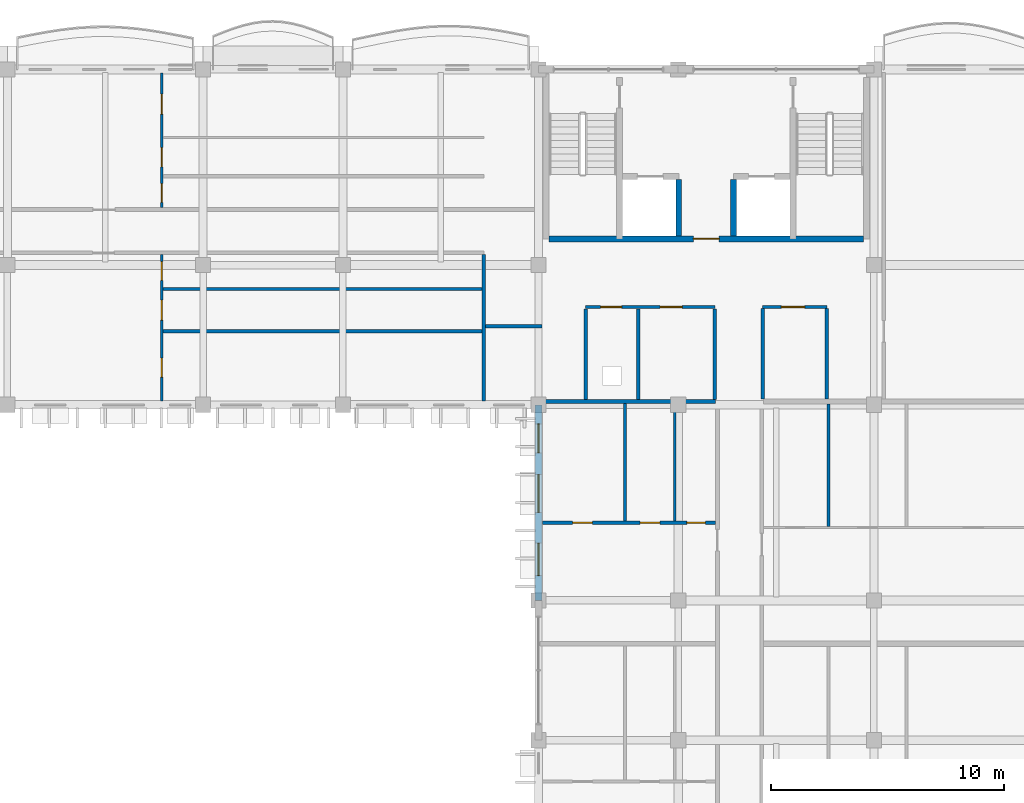
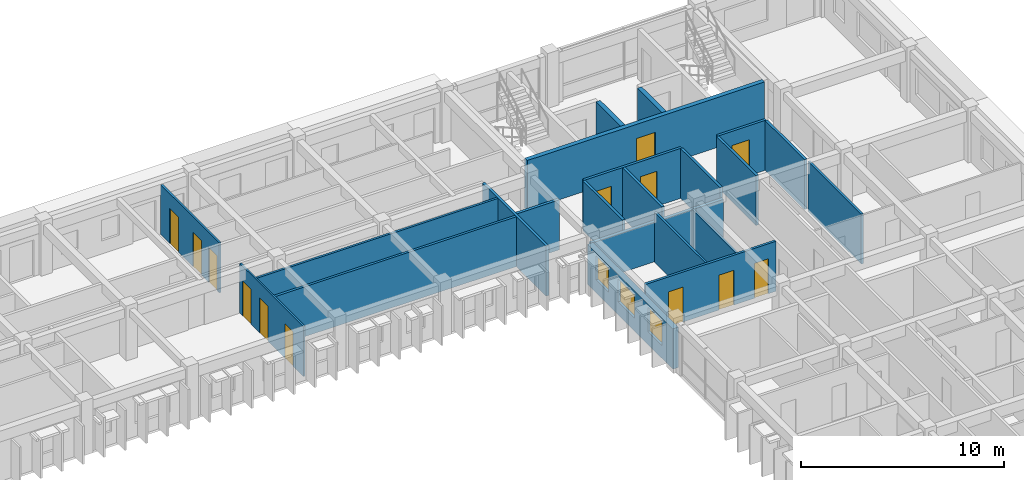
# One storey, part 45 of 76: 22 walls, 13 doors, 3 windows, 16 openings.
"""IFC4 building model written with IfcOpenShell, lengths in metres."""

from ifc_helpers import new_model, si_unit, direction, frame, frame_2d, origin, place, context, subcontext, project, spatial, rectangle, extrude, material, layer, layer_set, type_object, element, fill, save


model = new_model("IFC4")

# Units and contexts
model_context = context("Model", 3, precision=1e-05, world=origin(), true_north=direction((0.0, 1.0)))
body_context = subcontext(model_context, "Body", "Model", "MODEL_VIEW")
ifc_project = project(units=[si_unit("LENGTHUNIT", "METRE"), si_unit("AREAUNIT", "SQUARE_METRE"), si_unit("VOLUMEUNIT", "CUBIC_METRE"), si_unit("PLANEANGLEUNIT", "RADIAN"), si_unit("MASSUNIT", "GRAM", prefix="KILO"), si_unit("THERMODYNAMICTEMPERATUREUNIT", "KELVIN")], contexts=[model_context])

# Site, building, storey
site_placement = place(None, origin())
site = spatial("IfcSite", under=ifc_project, at=site_placement, CompositionType="ELEMENT")
building_placement = place(site_placement, origin())
building = spatial("IfcBuilding", under=site, at=building_placement, Name="Thalorik Housing Commons", CompositionType="ELEMENT")
storey_placement = place(building_placement, frame((0.0, 0.0, 18.0)))
storey = spatial("IfcBuildingStorey", under=building, at=storey_placement, Name="L05", CompositionType="ELEMENT", Elevation=18.0)

# Walls
ifc_material_1 = material(Name="Concrete C40/50", Category="concrete")
ifc_layer_1 = layer(ifc_material_1, 0.25, Name="Concrete C40/50", Category="concrete")
ifc_layer_set_1 = layer_set([ifc_layer_1], Name="Concrete C40/50")
wall_type_1 = type_object("IfcWallType", Name="ARC-WAL-CORE-250", PredefinedType="SHEAR", material=ifc_layer_set_1)
for number, where, z_axis, x_axis, name in (
    (1, (158.425048828125, 118.875, 0.0), (0.0, 0.0, 1.0), (0.0, -1.0, 0.0), "L05 Lift 1 Cheek Wall"),
    (2, (160.77490234375, 118.875, 0.0), (0.0, 0.0, 1.0), (0.0, -1.0, 0.0), "L05 Lift 2 Cheek Wall"),
):
    element("IfcWall", number, at=place(storey_placement, frame(where, z_axis=z_axis, x_axis=x_axis)), inside=storey, type_object=wall_type_1, Name=name, PredefinedType="SHEAR", context=body_context, shape_type="SweptSolid", body=[
        extrude(rectangle(XDim=2.425048828125, YDim=0.25, at=frame_2d((1.21240234375, 0.0))), origin(), (0.0, 0.0, 1.0), 3.0),
    ])

# Wall, opening, door
wall_1_placement = place(storey_placement, frame((152.85009765625, 116.324951171875, 0.0), z_axis=(0.0, 0.0, 1.0), x_axis=(1.0, 0.0, 0.0)))
wall_1 = element("IfcWall", 3, at=wall_1_placement, inside=storey, type_object=wall_type_1, Name="L05 Core B Spine Shear Wall", PredefinedType="SHEAR", context=body_context, shape_type="SweptSolid", body=[
    extrude(rectangle(XDim=13.5, YDim=0.25, at=frame_2d((6.75, 0.0))), origin(), (0.0, 0.0, 1.0), 3.0),
])
opening_1_placement = place(wall_1_placement, frame((6.199951171875, 0.0, 0.0)))
opening_1 = element("IfcOpeningElement", 4, at=opening_1_placement, cuts=wall_1, Name="Opening ID-0189", PredefinedType="OPENING", context=body_context, shape_type="SweptSolid", body=[
    extrude(rectangle(XDim=1.10009765625, YDim=2.14990234375, at=frame_2d((0.550048828125, 1.074951171875))), frame((0.0, 0.135009765625, 0.0), z_axis=(0.0, -1.0, 0.0), x_axis=(1.0, 0.0, 0.0)), (0.0, 0.0, 1.0), 0.27001953125),
])
ifc_material_2 = material(Name="Steel S355", Category="steel")
door_type_1 = type_object("IfcDoorType", Name="ARC-DR-FD60-1100", OperationType="NOTDEFINED", PredefinedType="DOOR", material=ifc_material_2)
door_1_placement = place(opening_1_placement, origin())
door_1 = element("IfcDoor", 5, at=door_1_placement, inside=storey, type_object=door_type_1, Name="L05 Core B Lobby Fire Door", OperationType="SINGLE_SWING_RIGHT", OverallHeight=2.14990234375, OverallWidth=1.10009765625, PredefinedType="DOOR", context=body_context, shape_type="SweptSolid", body=[
    extrude(rectangle(XDim=1.10009765625, YDim=2.14990234375, at=frame_2d((0.550048828125, 1.074951171875))), frame((0.0, 0.02490234375, 0.0), z_axis=(0.0, -1.0, 0.0), x_axis=(1.0, 0.0, 0.0)), (0.0, 0.0, 1.0), 0.050048828125),
])
fill(opening_1, door_1)

# Walls
ifc_material_3 = material(Name="Masonry fire-rated corridor wall", Category="masonry")
ifc_layer_2 = layer(ifc_material_3, 0.14990234375, Name="Masonry fire-rated corridor wall", Category="masonry")
ifc_layer_set_2 = layer_set([ifc_layer_2], Name="Masonry fire-rated corridor wall")
wall_type_2 = type_object("IfcWallType", Name="ARC-WAL-CORR-150", PredefinedType="PARTITIONING", material=ifc_layer_set_2)
wall_2_placement = place(storey_placement, frame((150.050048828125, 109.362060546875, 0.0), z_axis=(0.0, 0.0, 1.0), x_axis=(0.0, 1.0, 0.0)))
element("IfcWall", 6, at=wall_2_placement, inside=storey, type_object=wall_type_2, Name="L05 Block B Vestibule Cheek Wall", PredefinedType="PARTITIONING", context=body_context, shape_type="SweptSolid", body=[
    extrude(rectangle(XDim=6.281005859375, YDim=0.14990234375, at=frame_2d((3.140625, 0.0))), origin(), (0.0, 0.0, 1.0), 3.0),
])
ifc_layer_3 = layer(ifc_material_3, 0.1650390625, Name="Masonry fire-rated corridor wall", Category="masonry")
ifc_layer_set_3 = layer_set([ifc_layer_3], Name="Masonry fire-rated corridor wall")
wall_type_3 = type_object("IfcWallType", Name="ARC-WAL-CORR-165", PredefinedType="PARTITIONING", material=ifc_layer_set_3)
wall_3_placement = place(storey_placement, frame((150.126953125, 112.570068359375, 0.0), z_axis=(0.0, 0.0, 1.0), x_axis=(1.0, 0.0, 0.0)))
element("IfcWall", 7, at=wall_3_placement, inside=storey, type_object=wall_type_3, Name="L05 Block B Vestibule South Wall", PredefinedType="PARTITIONING", context=body_context, shape_type="SweptSolid", body=[
    extrude(rectangle(XDim=2.4130859375, YDim=0.1650390625, at=frame_2d((1.20654296875, 0.0))), origin(), (0.0, 0.0, 1.0), 3.0),
])

# Wall, openings, windows
ifc_material_4 = material(Name="White precast concrete C40/50", Category="concrete")
ifc_layer_4 = layer(ifc_material_4, 0.320068359375, Name="White precast concrete C40/50", Category="concrete")
ifc_layer_set_4 = layer_set([ifc_layer_4], Name="White precast concrete C40/50")
wall_type_4 = type_object("IfcWallType", Name="ARC-WAL-EXT-320", PredefinedType="STANDARD", material=ifc_layer_set_4)
wall_4_placement = place(storey_placement, frame((152.39990234375, 109.199951171875, 0.0), z_axis=(0.0, 0.0, 1.0), x_axis=(0.0, -1.0, 0.0)))
wall_4 = element("IfcWall", 8, at=wall_4_placement, inside=storey, type_object=wall_type_4, Name="L05 Exterior Wall WAL-EXT-L05-B-0586", PredefinedType="STANDARD", context=body_context, shape_type="SweptSolid", body=[
    extrude(rectangle(XDim=8.39990234375, YDim=0.320068359375, at=frame_2d((4.199951171875, 0.0))), origin(), (0.0, 0.0, 1.0), 2.425048828125),
])
opening_2_placement = place(wall_4_placement, frame((0.8173828125, 0.0, 0.780029296875)))
opening_2 = element("IfcOpeningElement", 9, at=opening_2_placement, cuts=wall_4, Name="Opening W-47", PredefinedType="OPENING", context=body_context, shape_type="SweptSolid", body=[
    extrude(rectangle(XDim=1.25, YDim=1.449951171875, at=frame_2d((0.625, 0.72509765625))), frame((0.0, 0.169921875, 0.0), z_axis=(0.0, -1.0, 0.0), x_axis=(1.0, 0.0, 0.0)), (0.0, 0.0, 1.0), 0.340087890625),
])
opening_3_placement = place(wall_4_placement, frame((2.99755859375, 0.0, 0.780029296875)))
opening_3 = element("IfcOpeningElement", 10, at=opening_3_placement, cuts=wall_4, Name="Opening W-54", PredefinedType="OPENING", context=body_context, shape_type="SweptSolid", body=[
    extrude(rectangle(XDim=1.6201171875, YDim=1.3798828125, at=frame_2d((0.81005859375, 0.68994140625))), frame((0.0, 0.169921875, 0.0), z_axis=(0.0, -1.0, 0.0), x_axis=(1.0, 0.0, 0.0)), (0.0, 0.0, 1.0), 0.340087890625),
])
opening_4_placement = place(wall_4_placement, frame((5.93505859375, 0.0, 0.780029296875)))
opening_4 = element("IfcOpeningElement", 11, at=opening_4_placement, cuts=wall_4, Name="Opening W-08", PredefinedType="OPENING", context=body_context, shape_type="SweptSolid", body=[
    extrude(rectangle(XDim=1.39990234375, YDim=1.449951171875, at=frame_2d((0.699951171875, 0.72509765625))), frame((0.0, 0.169921875, 0.0), z_axis=(0.0, -1.0, 0.0), x_axis=(1.0, 0.0, 0.0)), (0.0, 0.0, 1.0), 0.340087890625),
])
ifc_material_5 = material(Name="Anodised aluminium and solar-control low-E glass", Category="aluminium")
window_type_1 = type_object("IfcWindowType", Name="ARC-WIN-08", PartitioningType="SINGLE_PANEL", PredefinedType="WINDOW", material=ifc_material_5)
window_1_placement = place(opening_4_placement, origin())
window_1 = element("IfcWindow", 12, at=window_1_placement, inside=storey, type_object=window_type_1, Name="L05 Facade Window 1066", OverallHeight=1.449951171875, OverallWidth=1.39990234375, PartitioningType="SINGLE_PANEL", PredefinedType="WINDOW", context=body_context, shape_type="SweptSolid", body=[
    extrude(rectangle(XDim=1.39990234375, YDim=1.449951171875, at=frame_2d((0.699951171875, 0.72509765625))), frame((0.0, 0.030029296875, 0.0), z_axis=(0.0, -1.0, 0.0), x_axis=(1.0, 0.0, 0.0)), (0.0, 0.0, 1.0), 0.06005859375),
])
fill(opening_4, window_1)
window_type_2 = type_object("IfcWindowType", Name="ARC-WIN-47", PartitioningType="SINGLE_PANEL", PredefinedType="WINDOW", material=ifc_material_5)
window_2_placement = place(opening_2_placement, origin())
window_2 = element("IfcWindow", 13, at=window_2_placement, inside=storey, type_object=window_type_2, Name="L05 Facade Window 1064", OverallHeight=1.449951171875, OverallWidth=1.25, PartitioningType="SINGLE_PANEL", PredefinedType="WINDOW", context=body_context, shape_type="SweptSolid", body=[
    extrude(rectangle(XDim=1.25, YDim=1.449951171875, at=frame_2d((0.625, 0.72509765625))), frame((0.0, 0.030029296875, 0.0), z_axis=(0.0, -1.0, 0.0), x_axis=(1.0, 0.0, 0.0)), (0.0, 0.0, 1.0), 0.06005859375),
])
fill(opening_2, window_2)
window_type_3 = type_object("IfcWindowType", Name="ARC-WIN-54", PartitioningType="DOUBLE_PANEL_VERTICAL", PredefinedType="WINDOW", material=ifc_material_5)
window_3_placement = place(opening_3_placement, origin())
window_3 = element("IfcWindow", 14, at=window_3_placement, inside=storey, type_object=window_type_3, Name="L05 Facade Window 1065", OverallHeight=1.3798828125, OverallWidth=1.6201171875, PartitioningType="DOUBLE_PANEL_VERTICAL", PredefinedType="WINDOW", context=body_context, shape_type="SweptSolid", body=[
    extrude(rectangle(XDim=1.6201171875, YDim=1.3798828125, at=frame_2d((0.81005859375, 0.68994140625))), frame((0.0, 0.030029296875, 0.0), z_axis=(0.0, -1.0, 0.0), x_axis=(1.0, 0.0, 0.0)), (0.0, 0.0, 1.0), 0.06005859375),
])
fill(opening_3, window_3)

# Wall, openings, doors
ifc_material_6 = material(Name="Gypsum light stud partition", Category="masonry")
ifc_layer_5 = layer(ifc_material_6, 0.10009765625, Name="Gypsum light stud partition", Category="masonry")
ifc_layer_set_5 = layer_set([ifc_layer_5], Name="Gypsum light stud partition")
wall_type_5 = type_object("IfcWallType", Name="ARC-WAL-PART-100", PredefinedType="PARTITIONING", material=ifc_layer_set_5)
wall_5_placement = place(storey_placement, frame((136.22509765625, 109.362060546875, 0.0), z_axis=(0.0, 0.0, 1.0), x_axis=(0.0, 1.0, 0.0)))
wall_5 = element("IfcWall", 15, at=wall_5_placement, inside=storey, type_object=wall_type_5, Name="L05 Unit 3 Spine Partition", PredefinedType="PARTITIONING", context=body_context, shape_type="SweptSolid", body=[
    extrude(rectangle(XDim=6.281005859375, YDim=0.10009765625, at=frame_2d((3.140625, 0.0))), origin(), (0.0, 0.0, 1.0), 3.0),
])
opening_5_placement = place(wall_5_placement, frame((1.0234375, 0.0, 0.0)))
opening_5 = element("IfcOpeningElement", 16, at=opening_5_placement, cuts=wall_5, Name="Opening ID-1184", PredefinedType="OPENING", context=body_context, shape_type="SweptSolid", body=[
    extrude(rectangle(XDim=0.820068359375, YDim=2.080078125, at=frame_2d((0.41015625, 1.0400390625))), frame((0.0, 0.06005859375, 0.0), z_axis=(0.0, -1.0, 0.0), x_axis=(1.0, 0.0, 0.0)), (0.0, 0.0, 1.0), 0.1201171875),
])
opening_6_placement = place(wall_5_placement, frame((3.478271484375, 0.0, 0.0)))
opening_6 = element("IfcOpeningElement", 17, at=opening_6_placement, cuts=wall_5, Name="Opening ID-1185", PredefinedType="OPENING", context=body_context, shape_type="SweptSolid", body=[
    extrude(rectangle(XDim=0.85009765625, YDim=2.10009765625, at=frame_2d((0.425048828125, 1.050048828125))), frame((0.0, 0.06005859375, 0.0), z_axis=(0.0, -1.0, 0.0), x_axis=(1.0, 0.0, 0.0)), (0.0, 0.0, 1.0), 0.1201171875),
])
opening_7_placement = place(wall_5_placement, frame((5.182861328125, 0.0, 0.0)))
opening_7 = element("IfcOpeningElement", 18, at=opening_7_placement, cuts=wall_5, Name="Opening ID-1186", PredefinedType="OPENING", context=body_context, shape_type="SweptSolid", body=[
    extrude(rectangle(XDim=0.800048828125, YDim=2.10009765625, at=frame_2d((0.39990234375, 1.050048828125))), frame((0.0, 0.06005859375, 0.0), z_axis=(0.0, -1.0, 0.0), x_axis=(1.0, 0.0, 0.0)), (0.0, 0.0, 1.0), 0.1201171875),
])
ifc_material_7 = material(Name="Moisture-resistant timber", Category="wood")
door_type_2 = type_object("IfcDoorType", Name="ARC-DR-INT-800", OperationType="NOTDEFINED", PredefinedType="DOOR", material=ifc_material_7)
door_2_placement = place(opening_7_placement, origin())
door_2 = element("IfcDoor", 19, at=door_2_placement, inside=storey, type_object=door_type_2, Name="L05 Flat Bathroom Door", OperationType="SINGLE_SWING_LEFT", OverallHeight=2.10009765625, OverallWidth=0.800048828125, PredefinedType="DOOR", context=body_context, shape_type="SweptSolid", body=[
    extrude(rectangle(XDim=0.800048828125, YDim=2.10009765625, at=frame_2d((0.39990234375, 1.050048828125))), frame((0.0, 0.02490234375, 0.0), z_axis=(0.0, -1.0, 0.0), x_axis=(1.0, 0.0, 0.0)), (0.0, 0.0, 1.0), 0.050048828125),
])
fill(opening_7, door_2)
ifc_material_8 = material(Name="Engineered oak timber", Category="wood")
door_type_3 = type_object("IfcDoorType", Name="ARC-DR-INT-820", OperationType="NOTDEFINED", PredefinedType="DOOR", material=ifc_material_8)
door_3_placement = place(opening_5_placement, origin())
door_3 = element("IfcDoor", 20, at=door_3_placement, inside=storey, type_object=door_type_3, Name="L05 Master Bedroom Door", OperationType="SINGLE_SWING_LEFT", OverallHeight=2.080078125, OverallWidth=0.820068359375, PredefinedType="DOOR", context=body_context, shape_type="SweptSolid", body=[
    extrude(rectangle(XDim=0.820068359375, YDim=2.080078125, at=frame_2d((0.41015625, 1.0400390625))), frame((0.0, 0.02490234375, 0.0), z_axis=(0.0, -1.0, 0.0), x_axis=(1.0, 0.0, 0.0)), (0.0, 0.0, 1.0), 0.050048828125),
])
fill(opening_5, door_3)
door_type_4 = type_object("IfcDoorType", Name="ARC-DR-INT-850", OperationType="NOTDEFINED", PredefinedType="DOOR", material=ifc_material_8)
door_4_placement = place(opening_6_placement, origin())
door_4 = element("IfcDoor", 21, at=door_4_placement, inside=storey, type_object=door_type_4, Name="L05 Galley Kitchen Door", OperationType="SINGLE_SWING_RIGHT", OverallHeight=2.10009765625, OverallWidth=0.85009765625, PredefinedType="DOOR", context=body_context, shape_type="SweptSolid", body=[
    extrude(rectangle(XDim=0.85009765625, YDim=2.10009765625, at=frame_2d((0.425048828125, 1.050048828125))), frame((0.0, 0.02490234375, 0.0), z_axis=(0.0, -1.0, 0.0), x_axis=(1.0, 0.0, 0.0)), (0.0, 0.0, 1.0), 0.050048828125),
])
fill(opening_6, door_4)

ifc_material_9 = material(Name="Gypsum moisture-resistant partition", Category="masonry")
ifc_layer_6 = layer(ifc_material_9, 0.114990234375, Name="Gypsum moisture-resistant partition", Category="masonry")
ifc_layer_set_6 = layer_set([ifc_layer_6], Name="Gypsum moisture-resistant partition")
wall_type_6 = type_object("IfcWallType", Name="ARC-WAL-PART-115", PredefinedType="PARTITIONING", material=ifc_layer_set_6)
wall_6_placement = place(storey_placement, frame((136.23193359375, 117.66455078125, 0.0), z_axis=(0.0, 0.0, 1.0), x_axis=(0.0, 1.0, 0.0)))
wall_6 = element("IfcWall", 22, at=wall_6_placement, inside=storey, type_object=wall_type_6, Name="L05 Unit 3B Spine Partition", PredefinedType="PARTITIONING", context=body_context, shape_type="SweptSolid", body=[
    extrude(rectangle(XDim=5.7734375, YDim=0.114990234375, at=frame_2d((2.88671875, 0.0))), origin(), (0.0, 0.0, 1.0), 3.0),
])
opening_8_placement = place(wall_6_placement, frame((0.230712890625, 0.0, 0.0)))
opening_8 = element("IfcOpeningElement", 23, at=opening_8_placement, cuts=wall_6, Name="Opening ID-1187", PredefinedType="OPENING", context=body_context, shape_type="SweptSolid", body=[
    extrude(rectangle(XDim=0.800048828125, YDim=2.10009765625, at=frame_2d((0.39990234375, 1.050048828125))), frame((0.0, 0.0673828125, 0.0), z_axis=(0.0, -1.0, 0.0), x_axis=(1.0, 0.0, 0.0)), (0.0, 0.0, 1.0), 0.135009765625),
])
opening_9_placement = place(wall_6_placement, frame((1.75537109375, 0.0, 0.0)))
opening_9 = element("IfcOpeningElement", 24, at=opening_9_placement, cuts=wall_6, Name="Opening ID-1188", PredefinedType="OPENING", context=body_context, shape_type="SweptSolid", body=[
    extrude(rectangle(XDim=0.820068359375, YDim=2.080078125, at=frame_2d((0.41015625, 1.0400390625))), frame((0.0, 0.0673828125, 0.0), z_axis=(0.0, -1.0, 0.0), x_axis=(1.0, 0.0, 0.0)), (0.0, 0.0, 1.0), 0.135009765625),
])
opening_10_placement = place(wall_6_placement, frame((4.02001953125, 0.0, 0.0)))
opening_10 = element("IfcOpeningElement", 25, at=opening_10_placement, cuts=wall_6, Name="Opening ID-1189", PredefinedType="OPENING", context=body_context, shape_type="SweptSolid", body=[
    extrude(rectangle(XDim=0.85009765625, YDim=2.10009765625, at=frame_2d((0.425048828125, 1.050048828125))), frame((0.0, 0.0673828125, 0.0), z_axis=(0.0, -1.0, 0.0), x_axis=(1.0, 0.0, 0.0)), (0.0, 0.0, 1.0), 0.135009765625),
])
door_5_placement = place(opening_8_placement, origin())
door_5 = element("IfcDoor", 26, at=door_5_placement, inside=storey, type_object=door_type_2, Name="L05 Accessible Bathroom Door", OperationType="SINGLE_SWING_RIGHT", OverallHeight=2.10009765625, OverallWidth=0.800048828125, PredefinedType="DOOR", context=body_context, shape_type="SweptSolid", body=[
    extrude(rectangle(XDim=0.800048828125, YDim=2.10009765625, at=frame_2d((0.39990234375, 1.050048828125))), frame((0.0, 0.02490234375, 0.0), z_axis=(0.0, -1.0, 0.0), x_axis=(1.0, 0.0, 0.0)), (0.0, 0.0, 1.0), 0.050048828125),
])
fill(opening_8, door_5)
door_6_placement = place(opening_9_placement, origin())
door_6 = element("IfcDoor", 27, at=door_6_placement, inside=storey, type_object=door_type_3, Name="L05 Eat-In Kitchen Door", OperationType="SINGLE_SWING_LEFT", OverallHeight=2.080078125, OverallWidth=0.820068359375, PredefinedType="DOOR", context=body_context, shape_type="SweptSolid", body=[
    extrude(rectangle(XDim=0.820068359375, YDim=2.080078125, at=frame_2d((0.41015625, 1.0400390625))), frame((0.0, 0.02490234375, 0.0), z_axis=(0.0, -1.0, 0.0), x_axis=(1.0, 0.0, 0.0)), (0.0, 0.0, 1.0), 0.050048828125),
])
fill(opening_9, door_6)
door_7_placement = place(opening_10_placement, origin())
door_7 = element("IfcDoor", 28, at=door_7_placement, inside=storey, type_object=door_type_4, Name="L05 Double Bedroom Door", OperationType="SINGLE_SWING_RIGHT", OverallHeight=2.10009765625, OverallWidth=0.85009765625, PredefinedType="DOOR", context=body_context, shape_type="SweptSolid", body=[
    extrude(rectangle(XDim=0.85009765625, YDim=2.10009765625, at=frame_2d((0.425048828125, 1.050048828125))), frame((0.0, 0.02490234375, 0.0), z_axis=(0.0, -1.0, 0.0), x_axis=(1.0, 0.0, 0.0)), (0.0, 0.0, 1.0), 0.050048828125),
])
fill(opening_10, door_7)

# Walls
wall_7_placement = place(storey_placement, frame((158.251220703125, 104.2119140625, 0.0), z_axis=(0.0, 0.0, 1.0), x_axis=(0.0, 1.0, 0.0)))
element("IfcWall", 29, at=wall_7_placement, inside=storey, type_object=wall_type_6, Name="L05 Unit 3 Wet Wall", PredefinedType="PARTITIONING", context=body_context, shape_type="SweptSolid", body=[
    extrude(rectangle(XDim=5.03369140625, YDim=0.114990234375, at=frame_2d((2.516845703125, 0.0))), origin(), (0.0, 0.0, 1.0), 2.425048828125),
])
ifc_material_10 = material(Name="Gypsum acoustic stud partition", Category="masonry")
ifc_layer_7 = layer(ifc_material_10, 0.125, Name="Gypsum acoustic stud partition", Category="masonry")
ifc_layer_set_7 = layer_set([ifc_layer_7], Name="Gypsum acoustic stud partition")
wall_type_7 = type_object("IfcWallType", Name="ARC-WAL-PART-125", PredefinedType="PARTITIONING", material=ifc_layer_set_7)
wall_8_placement = place(storey_placement, frame((136.277099609375, 114.169677734375, 0.0), z_axis=(0.0, 0.0, 1.0), x_axis=(1.0, 0.0, 0.0)))
element("IfcWall", 30, at=wall_8_placement, inside=storey, type_object=wall_type_7, Name="L05 Unit 3 Wet Wall", PredefinedType="PARTITIONING", context=body_context, shape_type="SweptSolid", body=[
    extrude(rectangle(XDim=13.69580078125, YDim=0.125, at=frame_2d((6.847900390625, 0.0))), origin(), (0.0, 0.0, 1.0), 3.0),
])
wall_9_placement = place(storey_placement, frame((156.11767578125, 104.2119140625, 0.0), z_axis=(0.0, 0.0, 1.0), x_axis=(0.0, 1.0, 0.0)))
element("IfcWall", 31, at=wall_9_placement, inside=storey, type_object=wall_type_7, Name="L05 Unit 3 Bedroom Partition", PredefinedType="PARTITIONING", context=body_context, shape_type="SweptSolid", body=[
    extrude(rectangle(XDim=5.03369140625, YDim=0.125, at=frame_2d((2.516845703125, 0.0))), origin(), (0.0, 0.0, 1.0), 3.0),
])
wall_10_placement = place(storey_placement, frame((164.850341796875, 103.98388671875, 0.0), z_axis=(0.0, 0.0, 1.0), x_axis=(0.0, 1.0, 0.0)))
element("IfcWall", 32, at=wall_10_placement, inside=storey, type_object=wall_type_7, Name="L05 Unit 3B Wet Wall", PredefinedType="PARTITIONING", context=body_context, shape_type="SweptSolid", body=[
    extrude(rectangle(XDim=5.254150390625, YDim=0.125, at=frame_2d((2.626953125, 0.0))), origin(), (0.0, 0.0, 1.0), 3.0),
])
ifc_material_11 = material(Name="Ceramic masonry partition wall", Category="masonry")
ifc_layer_8 = layer(ifc_material_11, 0.139892578125, Name="Ceramic masonry partition wall", Category="masonry")
ifc_layer_set_8 = layer_set([ifc_layer_8], Name="Ceramic masonry partition wall")
wall_type_8 = type_object("IfcWallType", Name="ARC-WAL-PART-140", PredefinedType="PARTITIONING", material=ifc_layer_set_8)
wall_11_placement = place(storey_placement, frame((136.277099609375, 112.36083984375, 0.0), z_axis=(0.0, 0.0, 1.0), x_axis=(1.0, 0.0, 0.0)))
element("IfcWall", 33, at=wall_11_placement, inside=storey, type_object=wall_type_8, Name="L05 Unit 3 Bedroom Partition", PredefinedType="PARTITIONING", context=body_context, shape_type="SweptSolid", body=[
    extrude(rectangle(XDim=13.69580078125, YDim=0.139892578125, at=frame_2d((6.847900390625, 0.0))), origin(), (0.0, 0.0, 1.0), 3.0),
])

# Wall, openings, doors
wall_12_placement = place(storey_placement, frame((152.56201171875, 104.139892578125, 0.0), z_axis=(0.0, 0.0, 1.0), x_axis=(1.0, 0.0, 0.0)))
wall_12 = element("IfcWall", 34, at=wall_12_placement, inside=storey, type_object=wall_type_8, Name="L05 Unit 3 Spine Partition", PredefinedType="PARTITIONING", context=body_context, shape_type="SweptSolid", body=[
    extrude(rectangle(XDim=7.43359375, YDim=0.139892578125, at=frame_2d((3.716796875, 0.0))), origin(), (0.0, 0.0, 1.0), 3.0),
])
opening_11_placement = place(wall_12_placement, frame((1.3017578125, 0.0, 0.0)))
opening_11 = element("IfcOpeningElement", 35, at=opening_11_placement, cuts=wall_12, Name="Opening ID-1209", PredefinedType="OPENING", context=body_context, shape_type="SweptSolid", body=[
    extrude(rectangle(XDim=0.85009765625, YDim=2.10009765625, at=frame_2d((0.425048828125, 1.050048828125))), frame((0.0, 0.080078125, 0.0), z_axis=(0.0, -1.0, 0.0), x_axis=(1.0, 0.0, 0.0)), (0.0, 0.0, 1.0), 0.159912109375),
])
opening_12_placement = place(wall_12_placement, frame((4.197509765625, 0.0, 0.0)))
opening_12 = element("IfcOpeningElement", 36, at=opening_12_placement, cuts=wall_12, Name="Opening ID-1210", PredefinedType="OPENING", context=body_context, shape_type="SweptSolid", body=[
    extrude(rectangle(XDim=0.85009765625, YDim=2.10009765625, at=frame_2d((0.425048828125, 1.050048828125))), frame((0.0, 0.080078125, 0.0), z_axis=(0.0, -1.0, 0.0), x_axis=(1.0, 0.0, 0.0)), (0.0, 0.0, 1.0), 0.159912109375),
])
opening_13_placement = place(wall_12_placement, frame((6.20361328125, 0.0, 0.0)))
opening_13 = element("IfcOpeningElement", 37, at=opening_13_placement, cuts=wall_12, Name="Opening ID-1211", PredefinedType="OPENING", context=body_context, shape_type="SweptSolid", body=[
    extrude(rectangle(XDim=0.800048828125, YDim=2.10009765625, at=frame_2d((0.39990234375, 1.050048828125))), frame((0.0, 0.080078125, 0.0), z_axis=(0.0, -1.0, 0.0), x_axis=(1.0, 0.0, 0.0)), (0.0, 0.0, 1.0), 0.159912109375),
])
door_8_placement = place(opening_13_placement, origin())
door_8 = element("IfcDoor", 38, at=door_8_placement, inside=storey, type_object=door_type_2, Name="L05 Flat Bathroom Door", OperationType="SINGLE_SWING_RIGHT", OverallHeight=2.10009765625, OverallWidth=0.800048828125, PredefinedType="DOOR", context=body_context, shape_type="SweptSolid", body=[
    extrude(rectangle(XDim=0.800048828125, YDim=2.10009765625, at=frame_2d((0.39990234375, 1.050048828125))), frame((0.0, 0.02490234375, 0.0), z_axis=(0.0, -1.0, 0.0), x_axis=(1.0, 0.0, 0.0)), (0.0, 0.0, 1.0), 0.050048828125),
])
fill(opening_13, door_8)
door_9_placement = place(opening_11_placement, origin())
door_9 = element("IfcDoor", 39, at=door_9_placement, inside=storey, type_object=door_type_4, Name="L05 Master Bedroom Door", OperationType="SINGLE_SWING_RIGHT", OverallHeight=2.10009765625, OverallWidth=0.85009765625, PredefinedType="DOOR", context=body_context, shape_type="SweptSolid", body=[
    extrude(rectangle(XDim=0.85009765625, YDim=2.10009765625, at=frame_2d((0.425048828125, 1.050048828125))), frame((0.0, 0.02490234375, 0.0), z_axis=(0.0, -1.0, 0.0), x_axis=(1.0, 0.0, 0.0)), (0.0, 0.0, 1.0), 0.050048828125),
])
fill(opening_11, door_9)
door_10_placement = place(opening_12_placement, origin())
door_10 = element("IfcDoor", 40, at=door_10_placement, inside=storey, type_object=door_type_4, Name="L05 Galley Kitchen Door", OperationType="SINGLE_SWING_LEFT", OverallHeight=2.10009765625, OverallWidth=0.85009765625, PredefinedType="DOOR", context=body_context, shape_type="SweptSolid", body=[
    extrude(rectangle(XDim=0.85009765625, YDim=2.10009765625, at=frame_2d((0.425048828125, 1.050048828125))), frame((0.0, 0.02490234375, 0.0), z_axis=(0.0, -1.0, 0.0), x_axis=(1.0, 0.0, 0.0)), (0.0, 0.0, 1.0), 0.050048828125),
])
fill(opening_12, door_10)

# Walls
ifc_layer_9 = layer(ifc_material_11, 0.14794921875, Name="Ceramic masonry partition wall", Category="masonry")
ifc_layer_set_9 = layer_set([ifc_layer_9], Name="Ceramic masonry partition wall")
wall_type_9 = type_object("IfcWallType", Name="ARC-WAL-PART-150", PredefinedType="PARTITIONING", material=ifc_layer_set_9)
for number, where, z_axis, x_axis, name in (
    (41, (154.419921875, 113.323974609375, 0.0), (0.0, 0.0, 1.0), (0.0, -1.0, 0.0), "Core West Enclosing Wall"),
    (42, (156.675048828125, 113.323974609375, 0.0), (0.0, 0.0, 1.0), (0.0, -1.0, 0.0), "Riser Wall"),
    (43, (159.97509765625, 113.323974609375, 0.0), (0.0, 0.0, 1.0), (0.0, -1.0, 0.0), "Core Stem West Cheek Wall"),
):
    element("IfcWall", number, at=place(storey_placement, frame(where, z_axis=z_axis, x_axis=x_axis)), inside=storey, type_object=wall_type_9, Name=name, PredefinedType="PARTITIONING", context=body_context, shape_type="SweptSolid", body=[
        extrude(rectangle(XDim=3.889404296875, YDim=0.14794921875, at=frame_2d((1.94482421875, 0.0))), origin(), (0.0, 0.0, 1.0), 3.0),
    ])
for number, where, z_axis, x_axis, name in (
    (44, (162.02490234375, 113.323974609375, 0.0), (0.0, 0.0, 1.0), (0.0, -1.0, 0.0), "Core Stem East Cheek Wall"),
    (45, (164.780029296875, 113.323974609375, 0.0), (0.0, 0.0, 1.0), (0.0, -1.0, 0.0), "Core East Enclosing Wall"),
):
    element("IfcWall", number, at=place(storey_placement, frame(where, z_axis=z_axis, x_axis=x_axis)), inside=storey, type_object=wall_type_9, Name=name, PredefinedType="PARTITIONING", context=body_context, shape_type="SweptSolid", body=[
        extrude(rectangle(XDim=3.882080078125, YDim=0.14794921875, at=frame_2d((1.94091796875, 0.0))), origin(), (0.0, 0.0, 1.0), 3.0),
    ])

# Wall, openings, doors
wall_13_placement = place(storey_placement, frame((154.419921875, 113.39990234375, 0.0), z_axis=(0.0, 0.0, 1.0), x_axis=(1.0, 0.0, 0.0)))
wall_13 = element("IfcWall", 46, at=wall_13_placement, inside=storey, type_object=wall_type_9, Name="L05 Core B West Corridor Partition", PredefinedType="PARTITIONING", context=body_context, shape_type="SweptSolid", body=[
    extrude(rectangle(XDim=5.55517578125, YDim=0.14794921875, at=frame_2d((2.777587890625, 0.0))), origin(), (0.0, 0.0, 1.0), 3.0),
])
opening_14_placement = place(wall_13_placement, frame((0.64990234375, 0.0, 0.0)))
opening_14 = element("IfcOpeningElement", 47, at=opening_14_placement, cuts=wall_13, Name="Opening ID-0190", PredefinedType="OPENING", context=body_context, shape_type="SweptSolid", body=[
    extrude(rectangle(XDim=0.89990234375, YDim=2.10009765625, at=frame_2d((0.449951171875, 1.050048828125))), frame((0.0, 0.083984375, 0.0), z_axis=(0.0, -1.0, 0.0), x_axis=(1.0, 0.0, 0.0)), (0.0, 0.0, 1.0), 0.16796875),
])
opening_15_placement = place(wall_13_placement, frame((3.199951171875, 0.0, 0.0)))
opening_15 = element("IfcOpeningElement", 48, at=opening_15_placement, cuts=wall_13, Name="Opening ID-0191", PredefinedType="OPENING", context=body_context, shape_type="SweptSolid", body=[
    extrude(rectangle(XDim=0.949951171875, YDim=2.10009765625, at=frame_2d((0.47509765625, 1.050048828125))), frame((0.0, 0.083984375, 0.0), z_axis=(0.0, -1.0, 0.0), x_axis=(1.0, 0.0, 0.0)), (0.0, 0.0, 1.0), 0.16796875),
])
door_type_5 = type_object("IfcDoorType", Name="ARC-DR-FD60-900", OperationType="NOTDEFINED", PredefinedType="DOOR", material=ifc_material_2)
door_11_placement = place(opening_14_placement, origin())
door_11 = element("IfcDoor", 49, at=door_11_placement, inside=storey, type_object=door_type_5, Name="Electrical Riser Door", OperationType="SINGLE_SWING_LEFT", OverallHeight=2.10009765625, OverallWidth=0.89990234375, PredefinedType="DOOR", context=body_context, shape_type="SweptSolid", body=[
    extrude(rectangle(XDim=0.89990234375, YDim=2.10009765625, at=frame_2d((0.449951171875, 1.050048828125))), frame((0.0, 0.02490234375, 0.0), z_axis=(0.0, -1.0, 0.0), x_axis=(1.0, 0.0, 0.0)), (0.0, 0.0, 1.0), 0.050048828125),
])
fill(opening_14, door_11)
door_type_6 = type_object("IfcDoorType", Name="ARC-DR-INT-950", OperationType="NOTDEFINED", PredefinedType="DOOR", material=ifc_material_8)
door_12_placement = place(opening_15_placement, origin())
door_12 = element("IfcDoor", 50, at=door_12_placement, inside=storey, type_object=door_type_6, Name="Accessible Bathroom Door", OperationType="SINGLE_SWING_RIGHT", OverallHeight=2.10009765625, OverallWidth=0.949951171875, PredefinedType="DOOR", context=body_context, shape_type="SweptSolid", body=[
    extrude(rectangle(XDim=0.949951171875, YDim=2.10009765625, at=frame_2d((0.47509765625, 1.050048828125))), frame((0.0, 0.02490234375, 0.0), z_axis=(0.0, -1.0, 0.0), x_axis=(1.0, 0.0, 0.0)), (0.0, 0.0, 1.0), 0.050048828125),
])
fill(opening_15, door_12)

# Wall, opening, door
wall_14_placement = place(storey_placement, frame((162.02490234375, 113.39990234375, 0.0), z_axis=(0.0, 0.0, 1.0), x_axis=(1.0, 0.0, 0.0)))
wall_14 = element("IfcWall", 51, at=wall_14_placement, inside=storey, type_object=wall_type_9, Name="L05 Core B East Corridor Partition", PredefinedType="PARTITIONING", context=body_context, shape_type="SweptSolid", body=[
    extrude(rectangle(XDim=2.755126953125, YDim=0.14794921875, at=frame_2d((1.37744140625, 0.0))), origin(), (0.0, 0.0, 1.0), 3.0),
])
opening_16_placement = place(wall_14_placement, frame((0.800048828125, 0.0, 0.0)))
opening_16 = element("IfcOpeningElement", 52, at=opening_16_placement, cuts=wall_14, Name="Opening ID-0192", PredefinedType="OPENING", context=body_context, shape_type="SweptSolid", body=[
    extrude(rectangle(XDim=1.0, YDim=2.14990234375, at=frame_2d((0.5, 1.074951171875))), frame((0.0, 0.083984375, 0.0), z_axis=(0.0, -1.0, 0.0), x_axis=(1.0, 0.0, 0.0)), (0.0, 0.0, 1.0), 0.16796875),
])
door_type_7 = type_object("IfcDoorType", Name="ARC-DR-FD60-1000", OperationType="NOTDEFINED", PredefinedType="DOOR", material=ifc_material_2)
door_13_placement = place(opening_16_placement, origin())
door_13 = element("IfcDoor", 53, at=door_13_placement, inside=storey, type_object=door_type_7, Name="Core Hub Room Door", OperationType="SINGLE_SWING_LEFT", OverallHeight=2.14990234375, OverallWidth=1.0, PredefinedType="DOOR", context=body_context, shape_type="SweptSolid", body=[
    extrude(rectangle(XDim=1.0, YDim=2.14990234375, at=frame_2d((0.5, 1.074951171875))), frame((0.0, 0.02490234375, 0.0), z_axis=(0.0, -1.0, 0.0), x_axis=(1.0, 0.0, 0.0)), (0.0, 0.0, 1.0), 0.050048828125),
])
fill(opening_16, door_13)

# Wall
ifc_material_12 = material(Name="Masonry acoustic blockwork wall", Category="masonry")
ifc_layer_10 = layer(ifc_material_12, 0.18505859375, Name="Masonry acoustic blockwork wall", Category="masonry")
ifc_layer_set_10 = layer_set([ifc_layer_10], Name="Masonry acoustic blockwork wall")
wall_type_10 = type_object("IfcWallType", Name="ARC-WAL-PARTY-185", PredefinedType="PARTITIONING", material=ifc_layer_set_10)
wall_15_placement = place(storey_placement, frame((152.4599609375, 109.340087890625, 0.0), z_axis=(0.0, 0.0, 1.0), x_axis=(1.0, 0.0, 0.0)))
element("IfcWall", 54, at=wall_15_placement, inside=storey, type_object=wall_type_10, Name="L05 Core End Wall A", PredefinedType="PARTITIONING", context=body_context, shape_type="SweptSolid", body=[
    extrude(rectangle(XDim=7.53564453125, YDim=0.18505859375, at=frame_2d((3.767822265625, 0.0))), origin(), (0.0, 0.0, 1.0), 2.375),
])

save(model, "model.ifc")
